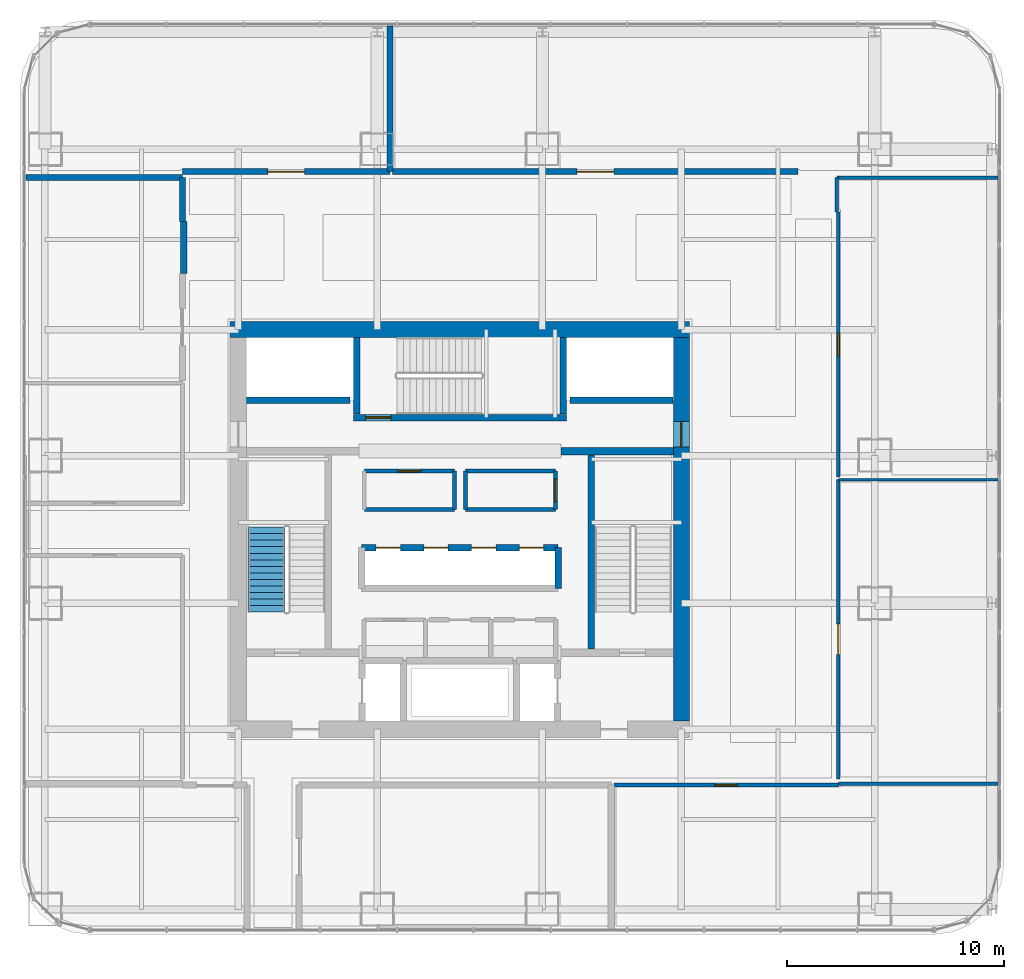
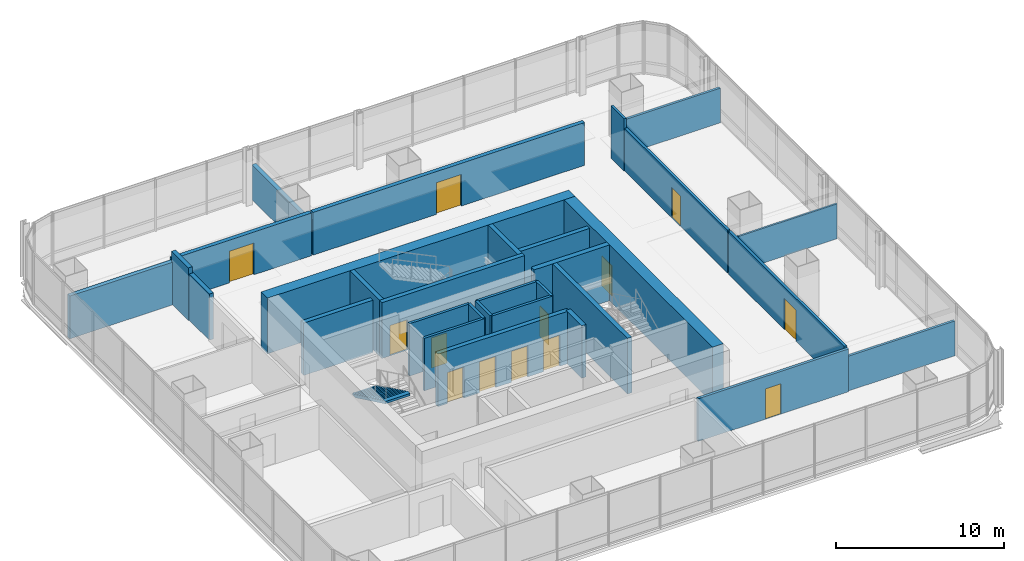
# One storey, part 28 of 34: 31 walls, 13 doors, 1 stair flight, 13 openings, 1 element without a shape of its own.
"""IFC4 building model written with IfcOpenShell, lengths in metres."""

from ifc_helpers import new_model, si_unit, direction, frame, frame_2d, origin, place, context, subcontext, project, spatial, polyline, rectangle, outline, extrude, material, layer, layer_set, type_object, element, fill, aggregate, save


model = new_model("IFC4")

# Units and contexts
model_context = context("Model", 3, precision=1e-05, world=origin(), true_north=direction((0.0, 1.0)))
body_context = subcontext(model_context, "Body", "Model", "MODEL_VIEW")
ifc_project = project(units=[si_unit("LENGTHUNIT", "METRE"), si_unit("AREAUNIT", "SQUARE_METRE"), si_unit("VOLUMEUNIT", "CUBIC_METRE"), si_unit("PLANEANGLEUNIT", "RADIAN"), si_unit("MASSUNIT", "GRAM", prefix="KILO")], contexts=[model_context])

# Site, building, storey
site_placement = place(None, origin())
site = spatial("IfcSite", under=ifc_project, at=site_placement, CompositionType="ELEMENT")
building_placement = place(site_placement, origin())
building = spatial("IfcBuilding", under=site, at=building_placement, Name="Punatoya Terracotta Tower", CompositionType="ELEMENT")
storey_placement = place(building_placement, frame((0.0, 0.0, 101.10009765625)))
storey = spatial("IfcBuildingStorey", under=building, at=storey_placement, Name="L23", CompositionType="ELEMENT", Elevation=101.10009765625)

# Walls
ifc_material_1 = material(Name="Concrete C40/50", Category="concrete")
ifc_layer_1 = layer(ifc_material_1, 0.280029296875)
ifc_layer_set_1 = layer_set([ifc_layer_1], Name="Concrete C40/50")
wall_type_1 = type_object("IfcWallType", Name="WL-AUD-280", PredefinedType="SOLIDWALL", material=ifc_layer_set_1)
wall_1_placement = place(storey_placement, frame((-12.7099609375, 14.179931640625, 0.0), z_axis=(0.0, 0.0, 1.0), x_axis=(0.0, -1.0, 0.0)))
element("IfcWall", 1, at=wall_1_placement, inside=storey, type_object=wall_type_1, Name="L23 Waterfront Club Lounge Partition 34", PredefinedType="SOLIDWALL", context=body_context, shape_type="SweptSolid", body=[
    extrude(rectangle(XDim=2.409912109375, YDim=0.280029296875, at=frame_2d((1.205078125, 0.0))), origin(), (0.0, 0.0, 1.0), 3.35400390625),
])
wall_2_placement = place(storey_placement, frame((-19.969970703125, 16.18994140625, 0.0), z_axis=(0.0, 0.0, 1.0), x_axis=(1.0, 0.0, 0.0)))
element("IfcWall", 2, at=wall_2_placement, inside=storey, type_object=wall_type_1, Name="L23 Waterfront Club Lounge Partition 36", PredefinedType="SOLIDWALL", context=body_context, shape_type="SweptSolid", body=[
    extrude(rectangle(XDim=7.199951171875, YDim=0.280029296875, at=frame_2d((3.60009765625, 0.0))), origin(), (0.0, 0.0, 1.0), 3.10400390625),
])
wall_3_placement = place(storey_placement, frame((-12.77001953125, 16.18994140625, 0.0), z_axis=(0.0, 0.0, 1.0), x_axis=(0.0, -1.0, 0.0)))
element("IfcWall", 3, at=wall_3_placement, inside=storey, type_object=wall_type_1, Name="L23 Waterfront Club Lounge Partition 37", PredefinedType="SOLIDWALL", context=body_context, shape_type="SweptSolid", body=[
    extrude(rectangle(XDim=2.010009765625, YDim=0.280029296875, at=frame_2d((1.0048828125, 0.0))), origin(), (0.0, 0.0, 1.0), 3.809814453125),
])
wall_4_placement = place(storey_placement, frame((-3.216064453125, 23.169921875, 0.0), z_axis=(0.0, 0.0, 1.0), x_axis=(0.0, -1.0, 0.0)))
element("IfcWall", 4, at=wall_4_placement, inside=storey, type_object=wall_type_1, Name="L23 Open-Plan Terrace Refreshment Lounge Partition 38", PredefinedType="SOLIDWALL", context=body_context, shape_type="SweptSolid", body=[
    extrude(rectangle(XDim=6.699951171875, YDim=0.280029296875, at=frame_2d((3.35009765625, 0.0))), origin(), (0.0, 0.0, 1.0), 2.52392578125),
])

# Wall, opening, door
wall_5_placement = place(storey_placement, frame((-3.216064453125, 16.469970703125, 0.0), z_axis=(0.0, 0.0, 1.0), x_axis=(-1.0, 0.0, 0.0)))
wall_5 = element("IfcWall", 5, at=wall_5_placement, inside=storey, type_object=wall_type_1, Name="L23 Open-Plan Terrace Refreshment Lounge Partition 39", PredefinedType="SOLIDWALL", context=body_context, shape_type="SweptSolid", body=[
    extrude(rectangle(XDim=9.553955078125, YDim=0.280029296875, at=frame_2d((4.77685546875, 0.0))), origin(), (0.0, 0.0, 1.0), 3.10400390625),
])
opening_1_placement = place(wall_5_placement, frame((3.927001953125, 0.0, 0.0)))
opening_1 = element("IfcOpeningElement", 6, at=opening_1_placement, cuts=wall_5, Name="Opening FD-D1", PredefinedType="OPENING", context=body_context, shape_type="SweptSolid", body=[
    extrude(rectangle(XDim=1.699951171875, YDim=2.300048828125, at=frame_2d((0.85009765625, 1.14990234375))), frame((0.0, 0.14990234375, 0.0), z_axis=(0.0, -1.0, 0.0), x_axis=(1.0, 0.0, 0.0)), (0.0, 0.0, 1.0), 0.300048828125),
])
ifc_material_2 = material(Name="Timber Teak Veneer Fire Leaf", Category="wood")
door_type_1 = type_object("IfcDoorType", Name="DR-DIN-1700", OperationType="NOTDEFINED", PredefinedType="DOOR", material=ifc_material_2)
door_1_placement = place(opening_1_placement, origin())
door_1 = element("IfcDoor", 7, at=door_1_placement, inside=storey, type_object=door_type_1, Name="L23 Open-Plan Terrace Refreshment Lounge Fire Door", OperationType="DOUBLE_DOOR_SINGLE_SWING", OverallHeight=2.300048828125, OverallWidth=1.699951171875, PredefinedType="DOOR", context=body_context, shape_type="SweptSolid", body=[
    extrude(rectangle(XDim=1.699951171875, YDim=2.300048828125, at=frame_2d((0.85009765625, 1.14990234375))), frame((0.0, 0.02490234375, 0.0), z_axis=(0.0, -1.0, 0.0), x_axis=(1.0, 0.0, 0.0)), (0.0, 0.0, 1.0), 0.050048828125),
])
fill(opening_1, door_1)

wall_6_placement = place(storey_placement, frame((15.570068359375, 16.469970703125, 0.0), z_axis=(0.0, 0.0, 1.0), x_axis=(-1.0, 0.0, 0.0)))
wall_6 = element("IfcWall", 8, at=wall_6_placement, inside=storey, type_object=wall_type_1, Name="L23 Hospitality Hosting Lounge Partition 40", PredefinedType="SOLIDWALL", context=body_context, shape_type="SweptSolid", body=[
    extrude(rectangle(XDim=18.666015625, YDim=0.280029296875, at=frame_2d((9.3330078125, 0.0))), origin(), (0.0, 0.0, 1.0), 3.10400390625),
])
opening_2_placement = place(wall_6_placement, frame((8.48291015625, 0.0, 0.0)))
opening_2 = element("IfcOpeningElement", 9, at=opening_2_placement, cuts=wall_6, Name="Opening FD-D1", PredefinedType="OPENING", context=body_context, shape_type="SweptSolid", body=[
    extrude(rectangle(XDim=1.699951171875, YDim=2.300048828125, at=frame_2d((0.85009765625, 1.14990234375))), frame((0.0, 0.14990234375, 0.0), z_axis=(0.0, -1.0, 0.0), x_axis=(1.0, 0.0, 0.0)), (0.0, 0.0, 1.0), 0.300048828125),
])
door_2_placement = place(opening_2_placement, origin())
door_2 = element("IfcDoor", 10, at=door_2_placement, inside=storey, type_object=door_type_1, Name="L23 Hospitality Hosting Lounge Fire Door", OperationType="DOUBLE_DOOR_SINGLE_SWING", OverallHeight=2.300048828125, OverallWidth=1.699951171875, PredefinedType="DOOR", context=body_context, shape_type="SweptSolid", body=[
    extrude(rectangle(XDim=1.699951171875, YDim=2.300048828125, at=frame_2d((0.85009765625, 1.14990234375))), frame((0.0, 0.02490234375, 0.0), z_axis=(0.0, -1.0, 0.0), x_axis=(1.0, 0.0, 0.0)), (0.0, 0.0, 1.0), 0.050048828125),
])
fill(opening_2, door_2)

# Wall
ifc_material_3 = material(Name="Concrete C60/75", Category="concrete")
ifc_layer_2 = layer(ifc_material_3, 0.75)
ifc_layer_set_2 = layer_set([ifc_layer_2], Name="Concrete C60/75")
wall_type_2 = type_object("IfcWallType", Name="WL-COR-750", PredefinedType="SHEAR", material=ifc_layer_set_2)
wall_7_placement = place(storey_placement, frame((-10.574951171875, 9.199951171875, 0.0), z_axis=(0.0, 0.0, 1.0), x_axis=(1.0, 0.0, 0.0)))
element("IfcWall", 11, at=wall_7_placement, inside=storey, type_object=wall_type_2, Name="L23 Core Shear Wall N", PredefinedType="SHEAR", context=body_context, shape_type="SweptSolid", body=[
    extrude(rectangle(XDim=21.14990234375, YDim=0.75, at=frame_2d((10.574951171875, 0.0))), origin(), (0.0, 0.0, 1.0), 4.0498046875),
])

# Wall, opening, door
wall_8_placement = place(storey_placement, frame((10.199951171875, 8.824951171875, 0.0), z_axis=(0.0, 0.0, 1.0), x_axis=(0.0, -1.0, 0.0)))
wall_8 = element("IfcWall", 12, at=wall_8_placement, inside=storey, type_object=wall_type_2, Name="L23 Core Shear Wall E", PredefinedType="SHEAR", context=body_context, shape_type="SweptSolid", body=[
    extrude(rectangle(XDim=17.64990234375, YDim=0.75, at=frame_2d((8.824951171875, 0.0))), origin(), (0.0, 0.0, 1.0), 4.0498046875),
])
opening_3_placement = place(wall_8_placement, frame((3.85498046875, 0.0, 0.0)))
opening_3 = element("IfcOpeningElement", 13, at=opening_3_placement, cuts=wall_8, Name="Opening SD-01", PredefinedType="OPENING", context=body_context, shape_type="SweptSolid", body=[
    extrude(rectangle(XDim=1.179931640625, YDim=2.199951171875, at=frame_2d((0.58984375, 1.10009765625))), frame((0.0, 0.385009765625, 0.0), z_axis=(0.0, -1.0, 0.0), x_axis=(1.0, 0.0, 0.0)), (0.0, 0.0, 1.0), 0.77001953125),
])
ifc_material_4 = material(Name="Galvanised Steel Pressurized Stair Fire Door", Category="steel")
door_type_2 = type_object("IfcDoorType", Name="DR-STR-1180", OperationType="NOTDEFINED", PredefinedType="DOOR", material=ifc_material_4)
door_3_placement = place(opening_3_placement, origin())
door_3 = element("IfcDoor", 14, at=door_3_placement, inside=storey, type_object=door_type_2, Name="L23 Central Lift Lobby East Fire Door", OperationType="SINGLE_SWING_RIGHT", OverallHeight=2.199951171875, OverallWidth=1.179931640625, PredefinedType="DOOR", context=body_context, shape_type="SweptSolid", body=[
    extrude(rectangle(XDim=1.179931640625, YDim=2.199951171875, at=frame_2d((0.58984375, 1.10009765625))), frame((0.0, 0.02490234375, 0.0), z_axis=(0.0, -1.0, 0.0), x_axis=(1.0, 0.0, 0.0)), (0.0, 0.0, 1.0), 0.050048828125),
])
fill(opening_3, door_3)

# Wall
ifc_material_5 = material(Name="Gypsum Fireboard + Steel Stud", Category="steel")
ifc_layer_3 = layer(ifc_material_5, 0.179931640625)
ifc_layer_set_3 = layer_set([ifc_layer_3], Name="Gypsum Fireboard + Steel Stud")
wall_type_3 = type_object("IfcWallType", Name="WL-CORR-180", PredefinedType="PARTITIONING", material=ifc_layer_set_3)
wall_9_placement = place(storey_placement, frame((-0.25, 0.919921875, 0.0), z_axis=(0.0, 0.0, 1.0), x_axis=(0.0, 1.0, 0.0)))
element("IfcWall", 15, at=wall_9_placement, inside=storey, type_object=wall_type_3, Name="L23 West Core Focus Pod Partition 08", PredefinedType="PARTITIONING", context=body_context, shape_type="SweptSolid", body=[
    extrude(rectangle(XDim=1.760009765625, YDim=0.179931640625, at=frame_2d((0.8798828125, 0.0))), origin(), (0.0, 0.0, 1.0), 3.809814453125),
])

# Wall, opening, door
wall_10_placement = place(storey_placement, frame((-0.25, 2.679931640625, 0.0), z_axis=(0.0, 0.0, 1.0), x_axis=(-1.0, 0.0, 0.0)))
wall_10 = element("IfcWall", 16, at=wall_10_placement, inside=storey, type_object=wall_type_3, Name="L23 West Core Focus Pod Partition 09", PredefinedType="PARTITIONING", context=body_context, shape_type="SweptSolid", body=[
    extrude(rectangle(XDim=4.14990234375, YDim=0.179931640625, at=frame_2d((2.074951171875, 0.0))), origin(), (0.0, 0.0, 1.0), 3.809814453125),
])
opening_4_placement = place(wall_10_placement, frame((1.550048828125, 0.0, 0.0)))
opening_4 = element("IfcOpeningElement", 17, at=opening_4_placement, cuts=wall_10, Name="Opening OD-01", PredefinedType="OPENING", context=body_context, shape_type="SweptSolid", body=[
    extrude(rectangle(XDim=1.050048828125, YDim=2.199951171875, at=frame_2d((0.52490234375, 1.10009765625))), frame((0.0, 0.099853515625, 0.0), z_axis=(0.0, -1.0, 0.0), x_axis=(1.0, 0.0, 0.0)), (0.0, 0.0, 1.0), 0.199951171875),
])
ifc_material_6 = material(Name="Bengal Teak Solid-Core Leaf")
door_type_3 = type_object("IfcDoorType", Name="DR-OFF-1050", OperationType="NOTDEFINED", PredefinedType="DOOR", material=ifc_material_6)
door_4_placement = place(opening_4_placement, origin())
door_4 = element("IfcDoor", 18, at=door_4_placement, inside=storey, type_object=door_type_3, Name="L23 West Focus Pod Door", OperationType="SINGLE_SWING_LEFT", OverallHeight=2.199951171875, OverallWidth=1.050048828125, PredefinedType="DOOR", context=body_context, shape_type="SweptSolid", body=[
    extrude(rectangle(XDim=1.050048828125, YDim=2.199951171875, at=frame_2d((0.52490234375, 1.10009765625))), frame((0.0, 0.02490234375, 0.0), z_axis=(0.0, -1.0, 0.0), x_axis=(1.0, 0.0, 0.0)), (0.0, 0.0, 1.0), 0.050048828125),
])
fill(opening_4, door_4)

# Wall
wall_11_placement = place(storey_placement, frame((-4.39990234375, 0.919921875, 0.0), z_axis=(0.0, 0.0, 1.0), x_axis=(1.0, 0.0, 0.0)))
element("IfcWall", 19, at=wall_11_placement, inside=storey, type_object=wall_type_3, Name="L23 West Core Focus Pod Partition 11", PredefinedType="PARTITIONING", context=body_context, shape_type="SweptSolid", body=[
    extrude(rectangle(XDim=4.14990234375, YDim=0.179931640625, at=frame_2d((2.074951171875, 0.0))), origin(), (0.0, 0.0, 1.0), 3.809814453125),
])

# Wall, opening, door
wall_12_placement = place(storey_placement, frame((4.39990234375, 0.919921875, 0.0), z_axis=(0.0, 0.0, 1.0), x_axis=(0.0, 1.0, 0.0)))
wall_12 = element("IfcWall", 20, at=wall_12_placement, inside=storey, type_object=wall_type_3, Name="L23 East Core Wellness Room Partition 12", PredefinedType="PARTITIONING", context=body_context, shape_type="SweptSolid", body=[
    extrude(rectangle(XDim=1.760009765625, YDim=0.179931640625, at=frame_2d((0.8798828125, 0.0))), origin(), (0.0, 0.0, 1.0), 3.809814453125),
])
opening_5_placement = place(wall_12_placement, frame((0.35498046875, 0.0, 0.0)))
opening_5 = element("IfcOpeningElement", 21, at=opening_5_placement, cuts=wall_12, Name="Opening OD-01", PredefinedType="OPENING", context=body_context, shape_type="SweptSolid", body=[
    extrude(rectangle(XDim=1.050048828125, YDim=2.199951171875, at=frame_2d((0.52490234375, 1.10009765625))), frame((0.0, 0.099853515625, 0.0), z_axis=(0.0, -1.0, 0.0), x_axis=(1.0, 0.0, 0.0)), (0.0, 0.0, 1.0), 0.199951171875),
])
door_5_placement = place(opening_5_placement, origin())
door_5 = element("IfcDoor", 22, at=door_5_placement, inside=storey, type_object=door_type_3, Name="L23 East Wellness Room Door", OperationType="SINGLE_SWING_RIGHT", OverallHeight=2.199951171875, OverallWidth=1.050048828125, PredefinedType="DOOR", context=body_context, shape_type="SweptSolid", body=[
    extrude(rectangle(XDim=1.050048828125, YDim=2.199951171875, at=frame_2d((0.52490234375, 1.10009765625))), frame((0.0, 0.02490234375, 0.0), z_axis=(0.0, -1.0, 0.0), x_axis=(1.0, 0.0, 0.0)), (0.0, 0.0, 1.0), 0.050048828125),
])
fill(opening_5, door_5)

# Walls
wall_13_placement = place(storey_placement, frame((4.39990234375, 2.679931640625, 0.0), z_axis=(0.0, 0.0, 1.0), x_axis=(-1.0, 0.0, 0.0)))
element("IfcWall", 23, at=wall_13_placement, inside=storey, type_object=wall_type_3, Name="L23 East Core Wellness Room Partition 13", PredefinedType="PARTITIONING", context=body_context, shape_type="SweptSolid", body=[
    extrude(rectangle(XDim=4.14990234375, YDim=0.179931640625, at=frame_2d((2.074951171875, 0.0))), origin(), (0.0, 0.0, 1.0), 3.809814453125),
])
wall_14_placement = place(storey_placement, frame((0.25, 2.679931640625, 0.0), z_axis=(0.0, 0.0, 1.0), x_axis=(0.0, -1.0, 0.0)))
element("IfcWall", 24, at=wall_14_placement, inside=storey, type_object=wall_type_3, Name="L23 East Core Wellness Room Partition 14", PredefinedType="PARTITIONING", context=body_context, shape_type="SweptSolid", body=[
    extrude(rectangle(XDim=1.760009765625, YDim=0.179931640625, at=frame_2d((0.8798828125, 0.0))), origin(), (0.0, 0.0, 1.0), 3.809814453125),
])
wall_15_placement = place(storey_placement, frame((0.25, 0.919921875, 0.0), z_axis=(0.0, 0.0, 1.0), x_axis=(1.0, 0.0, 0.0)))
element("IfcWall", 25, at=wall_15_placement, inside=storey, type_object=wall_type_3, Name="L23 East Core Wellness Room Partition 15", PredefinedType="PARTITIONING", context=body_context, shape_type="SweptSolid", body=[
    extrude(rectangle(XDim=4.14990234375, YDim=0.179931640625, at=frame_2d((2.074951171875, 0.0))), origin(), (0.0, 0.0, 1.0), 3.809814453125),
])

# Wall, opening, door
wall_16_placement = place(storey_placement, frame((7.090087890625, -11.77001953125, 0.0), z_axis=(0.0, 0.0, 1.0), x_axis=(1.0, 0.0, 0.0)))
wall_16 = element("IfcWall", 26, at=wall_16_placement, inside=storey, type_object=wall_type_3, Name="L23 Open-Plan Catering Tea Pantry Partition 22", PredefinedType="PARTITIONING", context=body_context, shape_type="SweptSolid", body=[
    extrude(rectangle(XDim=10.329833984375, YDim=0.179931640625, at=frame_2d((5.1650390625, 0.0))), origin(), (0.0, 0.0, 1.0), 3.10400390625),
])
opening_6_placement = place(wall_16_placement, frame((4.639892578125, 0.0, 0.0)))
opening_6 = element("IfcOpeningElement", 27, at=opening_6_placement, cuts=wall_16, Name="Opening OD-01", PredefinedType="OPENING", context=body_context, shape_type="SweptSolid", body=[
    extrude(rectangle(XDim=1.050048828125, YDim=2.199951171875, at=frame_2d((0.52490234375, 1.10009765625))), frame((0.0, 0.099853515625, 0.0), z_axis=(0.0, -1.0, 0.0), x_axis=(1.0, 0.0, 0.0)), (0.0, 0.0, 1.0), 0.199951171875),
])
door_6_placement = place(opening_6_placement, origin())
door_6 = element("IfcDoor", 28, at=door_6_placement, inside=storey, type_object=door_type_3, Name="L23 Open-Plan Catering Tea Pantry Door", OperationType="SINGLE_SWING_LEFT", OverallHeight=2.199951171875, OverallWidth=1.050048828125, PredefinedType="DOOR", context=body_context, shape_type="SweptSolid", body=[
    extrude(rectangle(XDim=1.050048828125, YDim=2.199951171875, at=frame_2d((0.52490234375, 1.10009765625))), frame((0.0, 0.02490234375, 0.0), z_axis=(0.0, -1.0, 0.0), x_axis=(1.0, 0.0, 0.0)), (0.0, 0.0, 1.0), 0.050048828125),
])
fill(opening_6, door_6)

wall_17_placement = place(storey_placement, frame((17.419921875, -11.489990234375, 0.0), z_axis=(0.0, 0.0, 1.0), x_axis=(0.0, 1.0, 0.0)))
wall_17 = element("IfcWall", 29, at=wall_17_placement, inside=storey, type_object=wall_type_3, Name="L23 Open-Plan Private Dining Boardroom Partition 26", PredefinedType="PARTITIONING", context=body_context, shape_type="SweptSolid", body=[
    extrude(rectangle(XDim=13.780029296875, YDim=0.179931640625, at=frame_2d((6.89013671875, 0.0))), origin(), (0.0, 0.0, 1.0), 3.10400390625),
])
opening_7_placement = place(wall_17_placement, frame((5.739990234375, 0.0, 0.0)))
opening_7 = element("IfcOpeningElement", 30, at=opening_7_placement, cuts=wall_17, Name="Opening BD-01", PredefinedType="OPENING", context=body_context, shape_type="SweptSolid", body=[
    extrude(rectangle(XDim=1.39990234375, YDim=2.25, at=frame_2d((0.699951171875, 1.125))), frame((0.0, 0.099853515625, 0.0), z_axis=(0.0, -1.0, 0.0), x_axis=(1.0, 0.0, 0.0)), (0.0, 0.0, 1.0), 0.199951171875),
])
ifc_material_7 = material(Name="Bengal Teak Acoustic Leaf")
door_type_4 = type_object("IfcDoorType", Name="DR-BRD-1400", OperationType="NOTDEFINED", PredefinedType="DOOR", material=ifc_material_7)
door_7_placement = place(opening_7_placement, origin())
door_7 = element("IfcDoor", 31, at=door_7_placement, inside=storey, type_object=door_type_4, Name="L23 Open-Plan Private Dining Boardroom Door", OperationType="SINGLE_SWING_LEFT", OverallHeight=2.25, OverallWidth=1.39990234375, PredefinedType="DOOR", context=body_context, shape_type="SweptSolid", body=[
    extrude(rectangle(XDim=1.39990234375, YDim=2.25, at=frame_2d((0.699951171875, 1.125))), frame((0.0, 0.02490234375, 0.0), z_axis=(0.0, -1.0, 0.0), x_axis=(1.0, 0.0, 0.0)), (0.0, 0.0, 1.0), 0.050048828125),
])
fill(opening_7, door_7)

wall_18_placement = place(storey_placement, frame((17.419921875, 2.409912109375, 0.0), z_axis=(0.0, 0.0, 1.0), x_axis=(0.0, 1.0, 0.0)))
wall_18 = element("IfcWall", 32, at=wall_18_placement, inside=storey, type_object=wall_type_3, Name="L23 Open-Plan Barista Espresso Pantry Partition 31", PredefinedType="PARTITIONING", context=body_context, shape_type="SweptSolid", body=[
    extrude(rectangle(XDim=12.210205078125, YDim=0.179931640625, at=frame_2d((6.10498046875, 0.0))), origin(), (0.0, 0.0, 1.0), 3.10400390625),
])
opening_8_placement = place(wall_18_placement, frame((5.580078125, 0.0, 0.0)))
opening_8 = element("IfcOpeningElement", 33, at=opening_8_placement, cuts=wall_18, Name="Opening OD-01", PredefinedType="OPENING", context=body_context, shape_type="SweptSolid", body=[
    extrude(rectangle(XDim=1.050048828125, YDim=2.199951171875, at=frame_2d((0.52490234375, 1.10009765625))), frame((0.0, 0.099853515625, 0.0), z_axis=(0.0, -1.0, 0.0), x_axis=(1.0, 0.0, 0.0)), (0.0, 0.0, 1.0), 0.199951171875),
])
door_8_placement = place(opening_8_placement, origin())
door_8 = element("IfcDoor", 34, at=door_8_placement, inside=storey, type_object=door_type_3, Name="L23 Open-Plan Barista Espresso Pantry Door", OperationType="SINGLE_SWING_LEFT", OverallHeight=2.199951171875, OverallWidth=1.050048828125, PredefinedType="DOOR", context=body_context, shape_type="SweptSolid", body=[
    extrude(rectangle(XDim=1.050048828125, YDim=2.199951171875, at=frame_2d((0.52490234375, 1.10009765625))), frame((0.0, 0.02490234375, 0.0), z_axis=(0.0, -1.0, 0.0), x_axis=(1.0, 0.0, 0.0)), (0.0, 0.0, 1.0), 0.050048828125),
])
fill(opening_8, door_8)

# Walls
ifc_material_8 = material(Name="Gypsum Partition + Steel Stud", Category="steel")
ifc_layer_4 = layer(ifc_material_8, 0.1201171875)
ifc_layer_set_4 = layer_set([ifc_layer_4], Name="Gypsum Partition + Steel Stud")
wall_type_4 = type_object("IfcWallType", Name="WL-OFF-120", PredefinedType="PARTITIONING", material=ifc_layer_set_4)
wall_19_placement = place(storey_placement, frame((17.419921875, 2.2900390625, 0.0), z_axis=(0.0, 0.0, 1.0), x_axis=(1.0, 0.0, 0.0)))
element("IfcWall", 35, at=wall_19_placement, inside=storey, type_object=wall_type_4, Name="L23 Open-Plan Private Dining Boardroom Partition 27", PredefinedType="PARTITIONING", context=body_context, shape_type="SweptSolid", body=[
    extrude(rectangle(XDim=7.35009765625, YDim=0.1201171875, at=frame_2d((3.675048828125, 0.0))), origin(), (0.0, 0.0, 1.0), 2.52392578125),
])
ifc_layer_5 = layer(ifc_material_1, 0.300048828125)
ifc_layer_set_5 = layer_set([ifc_layer_5], Name="Concrete C40/50")
wall_type_5 = type_object("IfcWallType", Name="WL-SHF-300", PredefinedType="SOLIDWALL", material=ifc_layer_set_5)
wall_20_placement = place(storey_placement, frame((6.050048828125, 3.449951171875, 0.0), z_axis=(0.0, 0.0, 1.0), x_axis=(0.0, -1.0, 0.0)))
element("IfcWall", 36, at=wall_20_placement, inside=storey, type_object=wall_type_5, Name="L23 Structural Stair Shaft Wall SW-ST2-W", PredefinedType="SOLIDWALL", context=body_context, shape_type="SweptSolid", body=[
    extrude(rectangle(XDim=8.949951171875, YDim=0.300048828125, at=frame_2d((4.47509765625, 0.0))), origin(), (0.0, 0.0, 1.0), 4.0498046875),
])
for number, where, z_axis, x_axis, name in (
    (37, (-4.75, 5.300048828125, 0.0), (0.0, 0.0, 1.0), (0.0, 1.0, 0.0), "L23 Structural Stair Shaft Wall SW-ST3-W"),
    (38, (4.75, 8.824951171875, 0.0), (0.0, 0.0, 1.0), (0.0, -1.0, 0.0), "L23 Structural Stair Shaft Wall SW-ST3-E"),
):
    element("IfcWall", number, at=place(storey_placement, frame(where, z_axis=z_axis, x_axis=x_axis)), inside=storey, type_object=wall_type_5, Name=name, PredefinedType="SOLIDWALL", context=body_context, shape_type="SweptSolid", body=[
        extrude(rectangle(XDim=3.52490234375, YDim=0.300048828125, at=frame_2d((1.762451171875, 0.0))), origin(), (0.0, 0.0, 1.0), 4.0498046875),
    ])

# Wall, opening, door
wall_21_placement = place(storey_placement, frame((-4.89990234375, 5.14990234375, 0.0), z_axis=(0.0, 0.0, 1.0), x_axis=(1.0, 0.0, 0.0)))
wall_21 = element("IfcWall", 39, at=wall_21_placement, inside=storey, type_object=wall_type_5, Name="L23 Structural Stair Shaft Wall SW-ST3-S", PredefinedType="SOLIDWALL", context=body_context, shape_type="SweptSolid", body=[
    extrude(rectangle(XDim=9.7998046875, YDim=0.300048828125, at=frame_2d((4.89990234375, 0.0))), origin(), (0.0, 0.0, 1.0), 4.0498046875),
])
opening_9_placement = place(wall_21_placement, frame((0.56005859375, 0.0, 0.0)))
opening_9 = element("IfcOpeningElement", 40, at=opening_9_placement, cuts=wall_21, Name="Opening SD-01", PredefinedType="OPENING", context=body_context, shape_type="SweptSolid", body=[
    extrude(rectangle(XDim=1.179931640625, YDim=2.199951171875, at=frame_2d((0.58984375, 1.10009765625))), frame((0.0, 0.159912109375, 0.0), z_axis=(0.0, -1.0, 0.0), x_axis=(1.0, 0.0, 0.0)), (0.0, 0.0, 1.0), 0.320068359375),
])
door_9_placement = place(opening_9_placement, origin())
door_9 = element("IfcDoor", 41, at=door_9_placement, inside=storey, type_object=door_type_2, Name="L23 Stair ST-3 Core Lobby Fire Door", OperationType="SINGLE_SWING_LEFT", OverallHeight=2.199951171875, OverallWidth=1.179931640625, PredefinedType="DOOR", context=body_context, shape_type="SweptSolid", body=[
    extrude(rectangle(XDim=1.179931640625, YDim=2.199951171875, at=frame_2d((0.58984375, 1.10009765625))), frame((0.0, 0.02490234375, 0.0), z_axis=(0.0, -1.0, 0.0), x_axis=(1.0, 0.0, 0.0)), (0.0, 0.0, 1.0), 0.050048828125),
])
fill(opening_9, door_9)

# Wall, openings, doors
wall_22_placement = place(storey_placement, frame((-4.52001953125, -0.840087890625, 0.0), z_axis=(0.0, 0.0, 1.0), x_axis=(1.0, 0.0, 0.0)))
wall_22 = element("IfcWall", 42, at=wall_22_placement, inside=storey, type_object=wall_type_5, Name="L23 South Lift Bank Front Shaft Wall", PredefinedType="SOLIDWALL", context=body_context, shape_type="SweptSolid", body=[
    extrude(rectangle(XDim=9.0400390625, YDim=0.300048828125, at=frame_2d((4.52001953125, 0.0))), origin(), (0.0, 0.0, 1.0), 3.809814453125),
])
opening_10_placement = place(wall_22_placement, frame((0.659912109375, 0.0, 0.0)))
opening_10 = element("IfcOpeningElement", 43, at=opening_10_placement, cuts=wall_22, Name="Opening LD-02", PredefinedType="OPENING", context=body_context, shape_type="SweptSolid", body=[
    extrude(rectangle(XDim=1.1201171875, YDim=2.25, at=frame_2d((0.56005859375, 1.125))), frame((0.0, 0.159912109375, 0.0), z_axis=(0.0, -1.0, 0.0), x_axis=(1.0, 0.0, 0.0)), (0.0, 0.0, 1.0), 0.320068359375),
])
opening_11_placement = place(wall_22_placement, frame((2.860107421875, 0.0, 0.0)))
opening_11 = element("IfcOpeningElement", 44, at=opening_11_placement, cuts=wall_22, Name="Opening LD-02", PredefinedType="OPENING", context=body_context, shape_type="SweptSolid", body=[
    extrude(rectangle(XDim=1.1201171875, YDim=2.25, at=frame_2d((0.56005859375, 1.125))), frame((0.0, 0.159912109375, 0.0), z_axis=(0.0, -1.0, 0.0), x_axis=(1.0, 0.0, 0.0)), (0.0, 0.0, 1.0), 0.320068359375),
])
opening_12_placement = place(wall_22_placement, frame((5.06005859375, 0.0, 0.0)))
opening_12 = element("IfcOpeningElement", 45, at=opening_12_placement, cuts=wall_22, Name="Opening LD-02", PredefinedType="OPENING", context=body_context, shape_type="SweptSolid", body=[
    extrude(rectangle(XDim=1.1201171875, YDim=2.25, at=frame_2d((0.56005859375, 1.125))), frame((0.0, 0.159912109375, 0.0), z_axis=(0.0, -1.0, 0.0), x_axis=(1.0, 0.0, 0.0)), (0.0, 0.0, 1.0), 0.320068359375),
])
opening_13_placement = place(wall_22_placement, frame((7.260009765625, 0.0, 0.0)))
opening_13 = element("IfcOpeningElement", 46, at=opening_13_placement, cuts=wall_22, Name="Opening LD-02", PredefinedType="OPENING", context=body_context, shape_type="SweptSolid", body=[
    extrude(rectangle(XDim=1.1201171875, YDim=2.25, at=frame_2d((0.56005859375, 1.125))), frame((0.0, 0.159912109375, 0.0), z_axis=(0.0, -1.0, 0.0), x_axis=(1.0, 0.0, 0.0)), (0.0, 0.0, 1.0), 0.320068359375),
])
ifc_material_9 = material(Name="Stainless Steel Lift Landing Door", Category="steel")
door_type_5 = type_object("IfcDoorType", Name="DR-LND-1120", OperationType="NOTDEFINED", PredefinedType="DOOR", material=ifc_material_9)
door_10_placement = place(opening_10_placement, origin())
door_10 = element("IfcDoor", 47, at=door_10_placement, inside=storey, type_object=door_type_5, Name="L23 Lift PL-L1 Sliding Landing Door", OperationType="DOUBLE_DOOR_SLIDING", OverallHeight=2.25, OverallWidth=1.1201171875, PredefinedType="DOOR", context=body_context, shape_type="SweptSolid", body=[
    extrude(rectangle(XDim=1.1201171875, YDim=2.25, at=frame_2d((0.56005859375, 1.125))), frame((0.0, 0.02490234375, 0.0), z_axis=(0.0, -1.0, 0.0), x_axis=(1.0, 0.0, 0.0)), (0.0, 0.0, 1.0), 0.050048828125),
])
fill(opening_10, door_10)
door_11_placement = place(opening_11_placement, origin())
door_11 = element("IfcDoor", 48, at=door_11_placement, inside=storey, type_object=door_type_5, Name="L23 Lift PL-L2 Sliding Landing Door", OperationType="DOUBLE_DOOR_SLIDING", OverallHeight=2.25, OverallWidth=1.1201171875, PredefinedType="DOOR", context=body_context, shape_type="SweptSolid", body=[
    extrude(rectangle(XDim=1.1201171875, YDim=2.25, at=frame_2d((0.56005859375, 1.125))), frame((0.0, 0.02490234375, 0.0), z_axis=(0.0, -1.0, 0.0), x_axis=(1.0, 0.0, 0.0)), (0.0, 0.0, 1.0), 0.050048828125),
])
fill(opening_11, door_11)
door_12_placement = place(opening_12_placement, origin())
door_12 = element("IfcDoor", 49, at=door_12_placement, inside=storey, type_object=door_type_5, Name="L23 Lift PL-L3 Sliding Landing Door", OperationType="DOUBLE_DOOR_SLIDING", OverallHeight=2.25, OverallWidth=1.1201171875, PredefinedType="DOOR", context=body_context, shape_type="SweptSolid", body=[
    extrude(rectangle(XDim=1.1201171875, YDim=2.25, at=frame_2d((0.56005859375, 1.125))), frame((0.0, 0.02490234375, 0.0), z_axis=(0.0, -1.0, 0.0), x_axis=(1.0, 0.0, 0.0)), (0.0, 0.0, 1.0), 0.050048828125),
])
fill(opening_12, door_12)
door_13_placement = place(opening_13_placement, origin())
door_13 = element("IfcDoor", 50, at=door_13_placement, inside=storey, type_object=door_type_5, Name="L23 Lift PL-L4 Sliding Landing Door", OperationType="DOUBLE_DOOR_SLIDING", OverallHeight=2.25, OverallWidth=1.1201171875, PredefinedType="DOOR", context=body_context, shape_type="SweptSolid", body=[
    extrude(rectangle(XDim=1.1201171875, YDim=2.25, at=frame_2d((0.56005859375, 1.125))), frame((0.0, 0.02490234375, 0.0), z_axis=(0.0, -1.0, 0.0), x_axis=(1.0, 0.0, 0.0)), (0.0, 0.0, 1.0), 0.050048828125),
])
fill(opening_13, door_13)

# Walls
wall_23_placement = place(storey_placement, frame((4.52001953125, -2.719970703125, 0.0), z_axis=(0.0, 0.0, 1.0), x_axis=(0.0, 1.0, 0.0)))
element("IfcWall", 51, at=wall_23_placement, inside=storey, type_object=wall_type_5, Name="L23 South Lift Bank East End Wall", PredefinedType="SOLIDWALL", context=body_context, shape_type="SweptSolid", body=[
    extrude(rectangle(XDim=1.8798828125, YDim=0.300048828125, at=frame_2d((0.93994140625, 0.0))), origin(), (0.0, 0.0, 1.0), 3.809814453125),
])
for number, where, z_axis, x_axis, name in (
    (52, (-9.820068359375, 5.949951171875, 0.0), (0.0, 0.0, 1.0), (1.0, 0.0, 0.0), "L23 Shuttle SL-1 South Hoistway Wall"),
    (53, (5.06005859375, 5.949951171875, 0.0), (0.0, 0.0, 1.0), (1.0, 0.0, 0.0), "L23 Shuttle SL-2 South Hoistway Wall"),
):
    element("IfcWall", number, at=place(storey_placement, frame(where, z_axis=z_axis, x_axis=x_axis)), inside=storey, type_object=wall_type_5, Name=name, PredefinedType="SOLIDWALL", context=body_context, shape_type="SweptSolid", body=[
        extrude(rectangle(XDim=4.760009765625, YDim=0.300048828125, at=frame_2d((2.3798828125, 0.0))), origin(), (0.0, 0.0, 1.0), 3.809814453125),
    ])
ifc_material_10 = material(Name="Concrete C50/60", Category="concrete")
ifc_layer_6 = layer(ifc_material_10, 0.35009765625)
ifc_layer_set_6 = layer_set([ifc_layer_6], Name="Concrete C50/60")
wall_type_6 = type_object("IfcWallType", Name="WL-SHF-350", PredefinedType="SOLIDWALL", material=ifc_layer_set_6)
wall_24_placement = place(storey_placement, frame((4.64990234375, 3.60009765625, 0.0), z_axis=(0.0, 0.0, 1.0), x_axis=(1.0, 0.0, 0.0)))
element("IfcWall", 54, at=wall_24_placement, inside=storey, type_object=wall_type_6, Name="L23 Core Web Wall CNW-R", PredefinedType="SOLIDWALL", context=body_context, shape_type="SweptSolid", body=[
    extrude(rectangle(XDim=5.175048828125, YDim=0.35009765625, at=frame_2d((2.58740234375, 0.0))), origin(), (0.0, 0.0, 1.0), 4.0498046875),
])
ifc_material_11 = material(Name="Masonry Blockwork + Ceramic Tile", Category="masonry")
ifc_layer_7 = layer(ifc_material_11, 0.159912109375)
ifc_layer_set_7 = layer_set([ifc_layer_7], Name="Masonry Blockwork + Ceramic Tile")
wall_type_7 = type_object("IfcWallType", Name="WL-WET-160", PredefinedType="PARTITIONING", material=ifc_layer_set_7)
wall_25_placement = place(storey_placement, frame((17.419921875, -11.7099609375, 0.0), z_axis=(0.0, 0.0, 1.0), x_axis=(1.0, 0.0, 0.0)))
element("IfcWall", 55, at=wall_25_placement, inside=storey, type_object=wall_type_7, Name="L23 Open-Plan Catering Tea Pantry Partition 23", PredefinedType="PARTITIONING", context=body_context, shape_type="SweptSolid", body=[
    extrude(rectangle(XDim=7.35009765625, YDim=0.159912109375, at=frame_2d((3.675048828125, 0.0))), origin(), (0.0, 0.0, 1.0), 2.52392578125),
])
wall_26_placement = place(storey_placement, frame((17.360107421875, 14.6201171875, 0.0), z_axis=(0.0, 0.0, 1.0), x_axis=(0.0, 1.0, 0.0)))
element("IfcWall", 56, at=wall_26_placement, inside=storey, type_object=wall_type_7, Name="L23 Open-Plan Barista Espresso Pantry Partition 32", PredefinedType="PARTITIONING", context=body_context, shape_type="SweptSolid", body=[
    extrude(rectangle(XDim=1.56982421875, YDim=0.159912109375, at=frame_2d((0.784912109375, 0.0))), origin(), (0.0, 0.0, 1.0), 3.809814453125),
])
wall_27_placement = place(storey_placement, frame((17.360107421875, 16.18994140625, 0.0), z_axis=(0.0, 0.0, 1.0), x_axis=(1.0, 0.0, 0.0)))
element("IfcWall", 57, at=wall_27_placement, inside=storey, type_object=wall_type_7, Name="L23 Open-Plan Barista Espresso Pantry Partition 33", PredefinedType="PARTITIONING", context=body_context, shape_type="SweptSolid", body=[
    extrude(rectangle(XDim=7.409912109375, YDim=0.159912109375, at=frame_2d((3.705078125, 0.0))), origin(), (0.0, 0.0, 1.0), 2.52392578125),
])

# Stair, stair flight
stair_type = type_object("IfcStairType", Name="STR-CORE-1550", PredefinedType="HALF_TURN_STAIR", material=ifc_material_1)
stair_placement = place(storey_placement, origin())
stair = element("IfcStair", 58, at=stair_placement, inside=storey, type_object=stair_type, Name="L23 Protected Core Exit Stair ST-1", PredefinedType="HALF_TURN_STAIR")
stair_flight_type = type_object("IfcStairFlightType", Name="SFL-CORE-1550", PredefinedType="STRAIGHT", material=ifc_material_1)
stair_flight_placement = place(storey_placement, frame((-8.89990234375, 0.10009765625, 2.02490234375), z_axis=(0.0, 0.0, 1.0), x_axis=(0.0, -1.0, 0.0)))
stair_flight = element("IfcStairFlight", 59, at=stair_flight_placement, type_object=stair_flight_type, Name="ST-1 flight 2", NumberOfRisers=14, NumberOfTreads=13, PredefinedType="STRAIGHT", RiserHeight=0.144642857, TreadLength=0.3, context=body_context, shape_type="SweptSolid", body=[
    extrude(outline(polyline([(0.0, 0.0), (0.0, 0.14453125), (0.300048828125, 0.14453125), (0.300048828125, 0.289306640625), (0.60009765625, 0.289306640625), (0.60009765625, 0.433837890625), (0.89990234375, 0.433837890625), (0.89990234375, 0.57861328125), (1.199951171875, 0.57861328125), (1.199951171875, 0.72314453125), (1.5, 0.72314453125), (1.5, 0.867919921875), (1.800048828125, 0.867919921875), (1.800048828125, 1.012451171875), (2.10009765625, 1.012451171875), (2.10009765625, 1.1572265625), (2.39990234375, 1.1572265625), (2.39990234375, 1.3017578125), (2.699951171875, 1.3017578125), (2.699951171875, 1.446533203125), (3.0, 1.446533203125), (3.0, 1.591064453125), (3.300048828125, 1.591064453125), (3.300048828125, 1.735595703125), (3.60009765625, 1.735595703125), (3.60009765625, 1.88037109375), (3.89990234375, 1.88037109375), (3.89990234375, 2.02490234375), (3.89990234375, 1.7138671875), (0.34521484375, 0.0), (0.0, 0.0)])), frame((0.0, 0.85009765625, 0.0), z_axis=(0.0, -1.0, 0.0), x_axis=(1.0, 0.0, 0.0)), (0.0, 0.0, 1.0), 1.699951171875),
])
aggregate(stair, [stair_flight])

save(model, "model.ifc")
